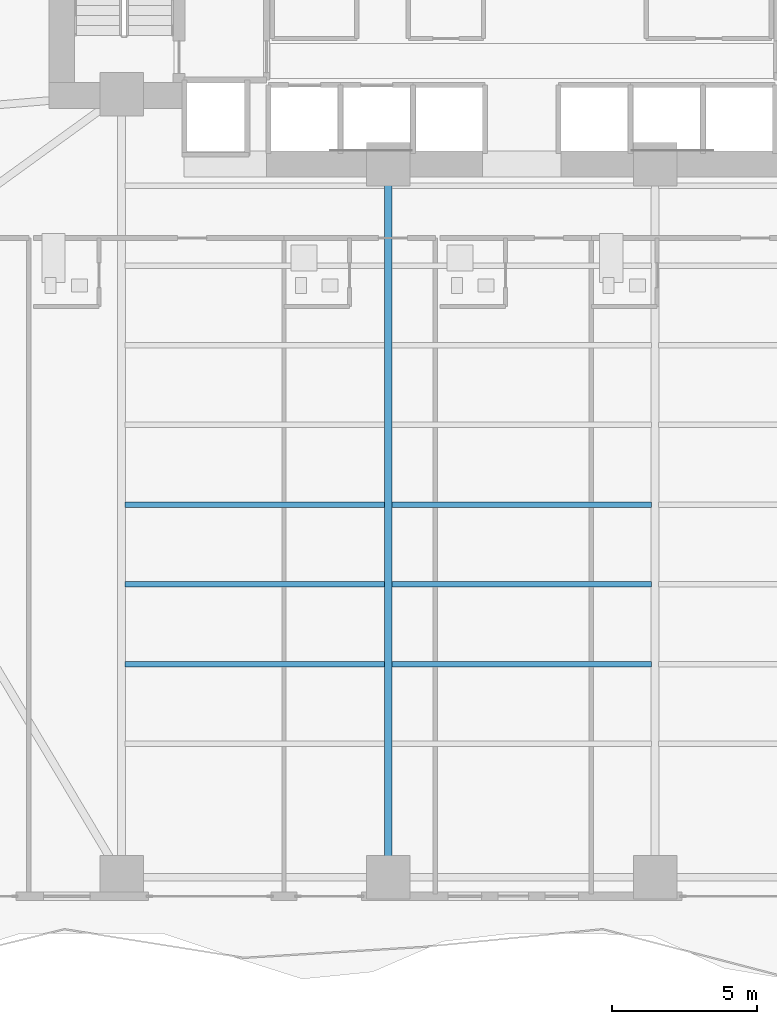
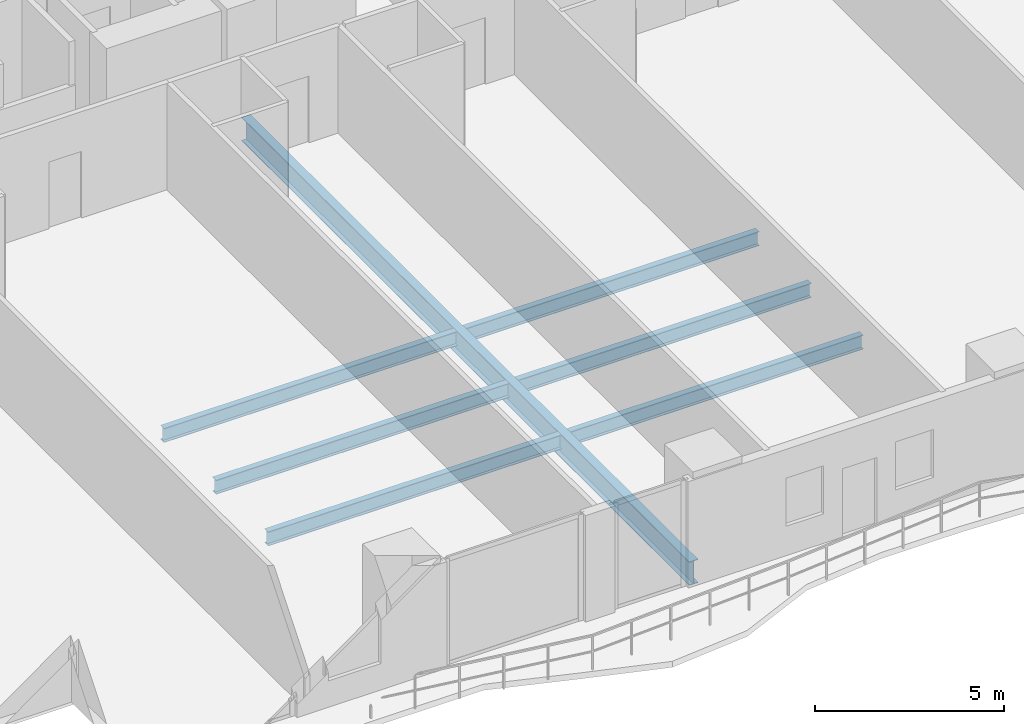
# One storey, part 5 of 29: 7 beams.
"""IFC4 building model written with IfcOpenShell, lengths in metres."""

from ifc_helpers import new_model, si_unit, direction, frame, origin, origin_2d, place, context, subcontext, project, spatial, i_section, extrude, material, material_profile, profile_set, type_object, element, save


model = new_model("IFC4")

# Units and contexts
model_context = context("Model", 3, precision=1e-05, world=origin(), true_north=direction((0.0, 1.0)))
body_context = subcontext(model_context, "Body", "Model", "MODEL_VIEW")
ifc_project = project(units=[si_unit("LENGTHUNIT", "METRE"), si_unit("AREAUNIT", "SQUARE_METRE"), si_unit("VOLUMEUNIT", "CUBIC_METRE"), si_unit("PLANEANGLEUNIT", "RADIAN"), si_unit("MASSUNIT", "GRAM", prefix="KILO")], contexts=[model_context])

# Site, building, storey
site_placement = place(None, origin())
site = spatial("IfcSite", under=ifc_project, at=site_placement, CompositionType="ELEMENT")
building_placement = place(site_placement, origin())
building = spatial("IfcBuilding", under=site, at=building_placement, Name="Zuhayl Quay Hotel", CompositionType="ELEMENT")
storey_placement = place(building_placement, frame((0.0, 0.0, 42.199951171875)))
storey = spatial("IfcBuildingStorey", under=building, at=storey_placement, Name="L09", CompositionType="ELEMENT", Elevation=42.199951171875)

# Beams
ifc_material = material(Name="Steel ASTM A992 Grade 50", Category="steel")
ifc_material_profile_1 = material_profile(ifc_material, i_section(OverallWidth=0.26708984375, OverallDepth=0.761962890625, WebThickness=0.014404296875, FlangeThickness=0.021484375, at=origin_2d()), Name="W30X116")
ifc_profile_set_1 = profile_set([ifc_material_profile_1], Name="Steel ASTM A992 Grade 50")
beam_type_1 = type_object("IfcBeamType", Name="BM_B1_W30X116", PredefinedType="BEAM", material=ifc_profile_set_1)
beam_1_placement = place(storey_placement, frame((-4.60009765625, -21.949951171875, -0.600830078125), z_axis=(0.0, 1.0, 0.0), x_axis=(-1.0, 0.0, 0.0)))
element("IfcBeam", 1, at=beam_1_placement, inside=storey, type_object=beam_type_1, Name="L09 Floor Beam FG_S_L09_2", PredefinedType="BEAM", context=body_context, shape_type="SweptSolid", body=[
    extrude(i_section(OverallWidth=0.26708984375, OverallDepth=0.761962890625, WebThickness=0.014404296875, FlangeThickness=0.021484375, at=origin_2d()), origin(), (0.0, 0.0, 1.0), 23.64990234375),
])
ifc_material_profile_2 = material_profile(ifc_material, i_section(OverallWidth=0.18994140625, OverallDepth=0.45703125, WebThickness=0.009033203125, FlangeThickness=0.014404296875, at=origin_2d()), Name="W18X50")
ifc_profile_set_2 = profile_set([ifc_material_profile_2], Name="Steel ASTM A992 Grade 50")
beam_type_2 = type_object("IfcBeamType", Name="BM_J2_W18X50", PredefinedType="JOIST", material=ifc_profile_set_2)
beam_2_placement = place(storey_placement, frame((-13.674560546875, -15.10009765625, -0.448486328125), z_axis=(1.0, 0.0, 0.0), x_axis=(0.0, 1.0, 0.0)))
element("IfcBeam", 2, at=beam_2_placement, inside=storey, type_object=beam_type_2, Name="L09 Floor Beam FJ_L09_4_1", PredefinedType="JOIST", context=body_context, shape_type="SweptSolid", body=[
    extrude(i_section(OverallWidth=0.18994140625, OverallDepth=0.45703125, WebThickness=0.009033203125, FlangeThickness=0.014404296875, at=origin_2d()), origin(), (0.0, 0.0, 1.0), 8.948974609375),
])
beam_3_placement = place(storey_placement, frame((-4.474609375, -15.10009765625, -0.448486328125), z_axis=(1.0, 0.0, 0.0), x_axis=(0.0, 1.0, 0.0)))
element("IfcBeam", 3, at=beam_3_placement, inside=storey, type_object=beam_type_2, Name="L09 Floor Beam FJ_L09_4_2", PredefinedType="JOIST", context=body_context, shape_type="SweptSolid", body=[
    extrude(i_section(OverallWidth=0.18994140625, OverallDepth=0.45703125, WebThickness=0.009033203125, FlangeThickness=0.014404296875, at=origin_2d()), origin(), (0.0, 0.0, 1.0), 8.94921875),
])
beam_4_placement = place(storey_placement, frame((-13.674560546875, -12.35009765625, -0.448486328125), z_axis=(1.0, 0.0, 0.0), x_axis=(0.0, 1.0, 0.0)))
element("IfcBeam", 4, at=beam_4_placement, inside=storey, type_object=beam_type_2, Name="L09 Floor Beam FJ_L09_5_1", PredefinedType="JOIST", context=body_context, shape_type="SweptSolid", body=[
    extrude(i_section(OverallWidth=0.18994140625, OverallDepth=0.45703125, WebThickness=0.009033203125, FlangeThickness=0.014404296875, at=origin_2d()), origin(), (0.0, 0.0, 1.0), 8.948974609375),
])
beam_5_placement = place(storey_placement, frame((-4.474609375, -12.35009765625, -0.448486328125), z_axis=(1.0, 0.0, 0.0), x_axis=(0.0, 1.0, 0.0)))
element("IfcBeam", 5, at=beam_5_placement, inside=storey, type_object=beam_type_2, Name="L09 Floor Beam FJ_L09_5_2", PredefinedType="JOIST", context=body_context, shape_type="SweptSolid", body=[
    extrude(i_section(OverallWidth=0.18994140625, OverallDepth=0.45703125, WebThickness=0.009033203125, FlangeThickness=0.014404296875, at=origin_2d()), origin(), (0.0, 0.0, 1.0), 8.94921875),
])
beam_6_placement = place(storey_placement, frame((-13.674560546875, -9.60009765625, -0.448486328125), z_axis=(1.0, 0.0, 0.0), x_axis=(0.0, 1.0, 0.0)))
element("IfcBeam", 6, at=beam_6_placement, inside=storey, type_object=beam_type_2, Name="L09 Floor Beam FJ_L09_6_1", PredefinedType="JOIST", context=body_context, shape_type="SweptSolid", body=[
    extrude(i_section(OverallWidth=0.18994140625, OverallDepth=0.45703125, WebThickness=0.009033203125, FlangeThickness=0.014404296875, at=origin_2d()), origin(), (0.0, 0.0, 1.0), 8.948974609375),
])
beam_7_placement = place(storey_placement, frame((-4.474609375, -9.60009765625, -0.448486328125), z_axis=(1.0, 0.0, 0.0), x_axis=(0.0, 1.0, 0.0)))
element("IfcBeam", 7, at=beam_7_placement, inside=storey, type_object=beam_type_2, Name="L09 Floor Beam FJ_L09_6_2", PredefinedType="JOIST", context=body_context, shape_type="SweptSolid", body=[
    extrude(i_section(OverallWidth=0.18994140625, OverallDepth=0.45703125, WebThickness=0.009033203125, FlangeThickness=0.014404296875, at=origin_2d()), origin(), (0.0, 0.0, 1.0), 8.94921875),
])

save(model, "model.ifc")
